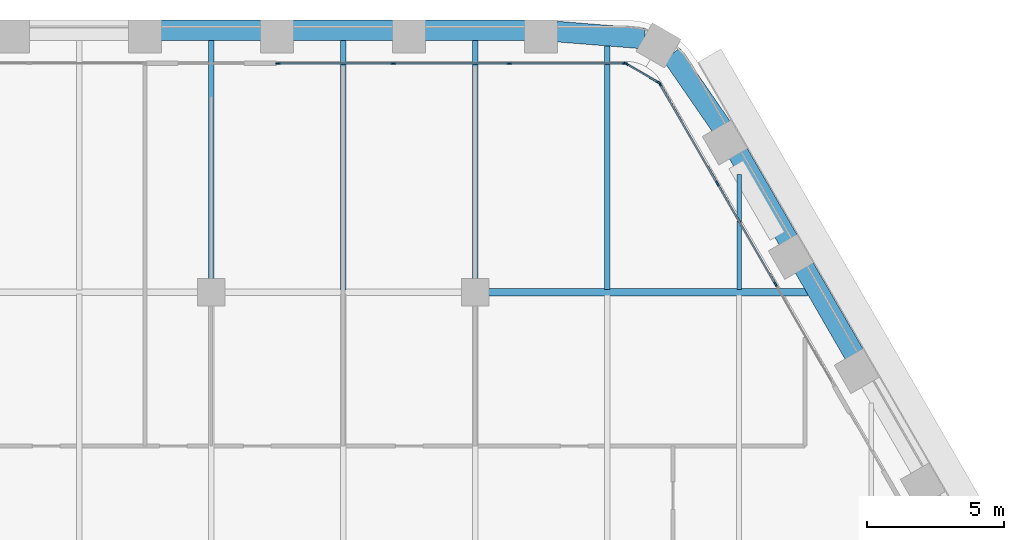
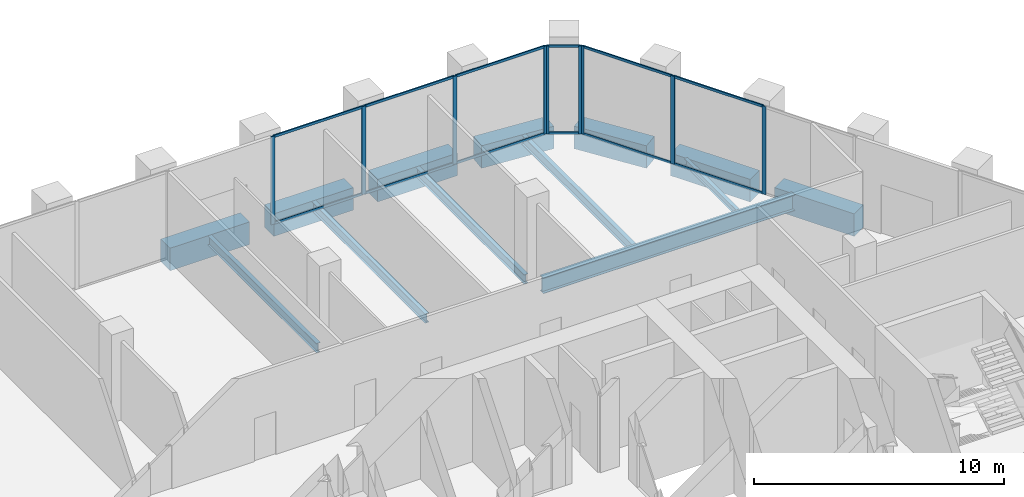
# One storey, part 9 of 23: 21 members, 13 beams, 3 elements without a shape of their own.
"""IFC4 building model written with IfcOpenShell, lengths in metres."""

from ifc_helpers import new_model, si_unit, direction, frame, origin, origin_2d, place, context, subcontext, project, spatial, rectangle, i_section, extrude, material, material_profile, profile_set, type_object, element, aggregate, save


model = new_model("IFC4")

# Units and contexts
model_context = context("Model", 3, precision=1e-05, world=origin(), true_north=direction((0.0, 1.0)))
body_context = subcontext(model_context, "Body", "Model", "MODEL_VIEW")
ifc_project = project(units=[si_unit("LENGTHUNIT", "METRE"), si_unit("AREAUNIT", "SQUARE_METRE"), si_unit("VOLUMEUNIT", "CUBIC_METRE"), si_unit("PLANEANGLEUNIT", "RADIAN"), si_unit("MASSUNIT", "GRAM", prefix="KILO")], contexts=[model_context])

# Site, building, storey
site_placement = place(None, origin())
site = spatial("IfcSite", under=ifc_project, at=site_placement, CompositionType="ELEMENT")
building_placement = place(site_placement, origin())
building = spatial("IfcBuilding", under=site, at=building_placement, Name="Kolab Exchange Tower", CompositionType="ELEMENT")
storey_placement = place(building_placement, frame((0.0, 0.0, 95.89990234375)))
storey = spatial("IfcBuildingStorey", under=building, at=storey_placement, Name="L18", CompositionType="ELEMENT", Elevation=95.89990234375)

# Beams
ifc_material_1 = material(Name="Steel S355", Category="steel")
ifc_material_profile_1 = material_profile(ifc_material_1, i_section(OverallWidth=0.1650390625, OverallDepth=0.31005859375, WebThickness=0.005859375, FlangeThickness=0.009765625, at=origin_2d()), Name="W310X39")
ifc_profile_set_1 = profile_set([ifc_material_profile_1], Name="Steel S355")
beam_type_1 = type_object("IfcBeamType", Name="FLOOR BEAM W310X39", PredefinedType="BEAM", material=ifc_profile_set_1)
beam_1_placement = place(storey_placement, frame((19.199951171875, 19.29345703125, -0.35498046875), z_axis=(0.0, 1.0, 0.0), x_axis=(-1.0, 0.0, 0.0)))
element("IfcBeam", 1, at=beam_1_placement, inside=storey, type_object=beam_type_1, Name="beam/L18/fr/045", PredefinedType="BEAM", context=body_context, shape_type="SweptSolid", body=[
    extrude(i_section(OverallWidth=0.1650390625, OverallDepth=0.31005859375, WebThickness=0.005859375, FlangeThickness=0.009765625, at=origin_2d()), origin(), (0.0, 0.0, 1.0), 4.18798828125),
])
ifc_material_profile_2 = material_profile(ifc_material_1, i_section(OverallWidth=0.18994140625, OverallDepth=0.45703125, WebThickness=0.009033203125, FlangeThickness=0.014404296875, at=origin_2d()), Name="W460X74")
ifc_profile_set_2 = profile_set([ifc_material_profile_2], Name="Steel S355")
beam_type_2 = type_object("IfcBeamType", Name="FLOOR BEAM W460X74", PredefinedType="BEAM", material=ifc_profile_set_2)
beam_2_placement = place(storey_placement, frame((0.0, 19.659912109375, -0.428466796875), z_axis=(0.0, 1.0, 0.0), x_axis=(-1.0, 0.0, 0.0)))
element("IfcBeam", 2, at=beam_2_placement, inside=storey, type_object=beam_type_2, Name="beam/L18/fr/027", PredefinedType="BEAM", context=body_context, shape_type="SweptSolid", body=[
    extrude(i_section(OverallWidth=0.18994140625, OverallDepth=0.45703125, WebThickness=0.009033203125, FlangeThickness=0.014404296875, at=origin_2d()), origin(), (0.0, 0.0, 1.0), 8.728515625),
])
beam_3_placement = place(storey_placement, frame((4.800048828125, 19.27392578125, -0.428466796875), z_axis=(0.0, 1.0, 0.0), x_axis=(-1.0, 0.0, 0.0)))
element("IfcBeam", 3, at=beam_3_placement, inside=storey, type_object=beam_type_2, Name="beam/L18/fr/031", PredefinedType="BEAM", context=body_context, shape_type="SweptSolid", body=[
    extrude(i_section(OverallWidth=0.18994140625, OverallDepth=0.45703125, WebThickness=0.009033203125, FlangeThickness=0.014404296875, at=origin_2d()), origin(), (0.0, 0.0, 1.0), 9.114501953125),
])
beam_4_placement = place(storey_placement, frame((9.60009765625, 19.659912109375, -0.428466796875), z_axis=(0.0, 1.0, 0.0), x_axis=(-1.0, 0.0, 0.0)))
element("IfcBeam", 4, at=beam_4_placement, inside=storey, type_object=beam_type_2, Name="beam/L18/fr/035", PredefinedType="BEAM", context=body_context, shape_type="SweptSolid", body=[
    extrude(i_section(OverallWidth=0.18994140625, OverallDepth=0.45703125, WebThickness=0.009033203125, FlangeThickness=0.014404296875, at=origin_2d()), origin(), (0.0, 0.0, 1.0), 8.728515625),
])
beam_5_placement = place(storey_placement, frame((14.39990234375, 19.29345703125, -0.428466796875), z_axis=(0.0, 1.0, 0.0), x_axis=(-1.0, 0.0, 0.0)))
element("IfcBeam", 5, at=beam_5_placement, inside=storey, type_object=beam_type_2, Name="beam/L18/fr/039", PredefinedType="BEAM", context=body_context, shape_type="SweptSolid", body=[
    extrude(i_section(OverallWidth=0.18994140625, OverallDepth=0.45703125, WebThickness=0.009033203125, FlangeThickness=0.014404296875, at=origin_2d()), origin(), (0.0, 0.0, 1.0), 8.901123046875),
])
ifc_material_profile_3 = material_profile(ifc_material_1, i_section(OverallWidth=0.26708984375, OverallDepth=0.761962890625, WebThickness=0.014404296875, FlangeThickness=0.021484375, at=origin_2d()), Name="W760X173")
ifc_profile_set_3 = profile_set([ifc_material_profile_3], Name="Steel S355")
beam_type_3 = type_object("IfcBeamType", Name="FLOOR GIRDER W760X173", PredefinedType="BEAM", material=ifc_profile_set_3)
beam_6_placement = place(storey_placement, frame((10.06005859375, 19.199951171875, -0.580810546875), z_axis=(1.0, 0.0, 0.0), x_axis=(0.0, 1.0, 0.0)))
element("IfcBeam", 6, at=beam_6_placement, inside=storey, type_object=beam_type_3, Name="beam/L18/gd/013", PredefinedType="BEAM", context=body_context, shape_type="SweptSolid", body=[
    extrude(i_section(OverallWidth=0.26708984375, OverallDepth=0.761962890625, WebThickness=0.014404296875, FlangeThickness=0.021484375, at=origin_2d()), origin(), (0.0, 0.0, 1.0), 11.628662109375),
])
ifc_material_2 = material(Name="Concrete C70/85", Category="concrete")
ifc_material_profile_4 = material_profile(ifc_material_2, rectangle(XDim=0.75, YDim=1.10009765625, at=origin_2d()), Name="RC750X1100")
ifc_profile_set_4 = profile_set([ifc_material_profile_4], Name="Concrete C70/85")
beam_type_4 = type_object("IfcBeamType", Name="SPANDREL BEAM 750X1100 C70/85", PredefinedType="BEAM", material=ifc_profile_set_4)
beam_7_placement = place(storey_placement, frame((-1.840087890625, 28.723388671875, -0.75), z_axis=(1.0, 0.0, 0.0), x_axis=(0.0, 1.0, 0.0)))
element("IfcBeam", 7, at=beam_7_placement, inside=storey, type_object=beam_type_4, Name="beam/L18/sp/F1-04", PredefinedType="BEAM", context=body_context, shape_type="SweptSolid", body=[
    extrude(rectangle(XDim=0.75, YDim=1.10009765625, at=origin_2d()), origin(), (0.0, 0.0, 1.0), 3.68017578125),
])
for number, where, z_axis, x_axis, name in (
    (8, (2.9599609375, 28.723388671875, -0.75), (1.0, 0.0, 0.0), (0.0, 1.0, 0.0), "beam/L18/sp/F1-05"),
    (9, (7.760009765625, 28.723388671875, -0.75), (1.0, 0.0, 0.0), (0.0, 1.0, 0.0), "beam/L18/sp/F1-06"),
):
    element("IfcBeam", number, at=place(storey_placement, frame(where, z_axis=z_axis, x_axis=x_axis)), inside=storey, type_object=beam_type_4, Name=name, PredefinedType="BEAM", context=body_context, shape_type="SweptSolid", body=[
        extrude(rectangle(XDim=0.75, YDim=1.10009765625, at=origin_2d()), origin(), (0.0, 0.0, 1.0), 3.679931640625),
    ])
for number, where, z_axis, x_axis, name in (
    (10, (12.56005859375, 28.678466796875, -0.75), (0.996791038408, -0.080047646748, 0.0), (0.080047646748, 0.996791038408, 0.0), "beam/L18/sp/F1-07"),
    (11, (16.73486328125, 27.85791015625, -0.75), (0.567661826262, -0.823261836237, 0.0), (0.823261836237, 0.567661826262, 0.0), "beam/L18/sp/F2-01"),
):
    element("IfcBeam", number, at=place(storey_placement, frame(where, z_axis=z_axis, x_axis=x_axis)), inside=storey, type_object=beam_type_4, Name=name, PredefinedType="BEAM", context=body_context, shape_type="SweptSolid", body=[
        extrude(rectangle(XDim=0.75, YDim=1.10009765625, at=origin_2d()), origin(), (0.0, 0.0, 1.0), 3.20849609375),
    ])
for number, where, z_axis, x_axis, name in (
    (12, (19.1552734375, 24.26904296875, -0.75), (0.500013413428, -0.866017659399, 0.0), (0.866017659399, 0.500013413428, 0.0), "beam/L18/sp/F2-02"),
    (13, (21.55517578125, 20.112060546875, -0.75), (0.500013413428, -0.866017659399, 0.0), (0.866017659399, 0.500013413428, 0.0), "beam/L18/sp/F2-03"),
):
    element("IfcBeam", number, at=place(storey_placement, frame(where, z_axis=z_axis, x_axis=x_axis)), inside=storey, type_object=beam_type_4, Name=name, PredefinedType="BEAM", context=body_context, shape_type="SweptSolid", body=[
        extrude(rectangle(XDim=0.75, YDim=1.10009765625, at=origin_2d()), origin(), (0.0, 0.0, 1.0), 3.68017578125),
    ])

# Curtain wall, members
ifc_material_3 = material(Name="Aluminium EN AW-6063 T6", Category="aluminium")
curtain_wall_type = type_object("IfcCurtainWallType", Name="UNITISED LOWER MID ZONE CURTAIN WALL", PredefinedType="NOTDEFINED", material=ifc_material_3)
curtain_wall_1_placement = place(storey_placement, origin())
curtain_wall_1 = element("IfcCurtainWall", 14, at=curtain_wall_1_placement, inside=storey, type_object=curtain_wall_type, Name="cw/L18/F1-2", PredefinedType="NOTDEFINED")
ifc_material_profile_5 = material_profile(ifc_material_3, rectangle(XDim=0.06005859375, YDim=0.179931640625, at=origin_2d()), Name="RECT 60X180")
ifc_profile_set_5 = profile_set([ifc_material_profile_5], Name="Aluminium EN AW-6063 T6")
member_type_1 = type_object("IfcMemberType", Name="UNITISED LOWER MID ZONE MULLION 60 X 180", PredefinedType="MULLION", material=ifc_profile_set_5)
member_1_placement = place(storey_placement, frame((2.429931640625, 27.5185546875, 0.0), z_axis=(0.0, 0.0, 1.0), x_axis=(0.0, 1.0, 0.0)))
member_1 = element("IfcMember", 15, at=member_1_placement, type_object=member_type_1, Name="CW2 mullion 1", PredefinedType="MULLION", context=body_context, shape_type="SweptSolid", body=[
    extrude(rectangle(XDim=0.06005859375, YDim=0.179931640625, at=origin_2d()), origin(), (0.0, 0.0, 1.0), 4.300048828125),
])
member_2_placement = place(storey_placement, frame((6.62255859375, 27.5185546875, 0.0), z_axis=(0.0, 0.0, 1.0), x_axis=(0.0, 1.0, 0.0)))
member_2 = element("IfcMember", 16, at=member_2_placement, type_object=member_type_1, Name="CW2 mullion 2", PredefinedType="MULLION", context=body_context, shape_type="SweptSolid", body=[
    extrude(rectangle(XDim=0.06005859375, YDim=0.179931640625, at=origin_2d()), origin(), (0.0, 0.0, 1.0), 4.300048828125),
])
member_3_placement = place(storey_placement, frame((10.84521484375, 27.5185546875, 0.0), z_axis=(0.0, 0.0, 1.0), x_axis=(0.0, 1.0, 0.0)))
member_3 = element("IfcMember", 17, at=member_3_placement, type_object=member_type_1, Name="CW2 mullion 3", PredefinedType="MULLION", context=body_context, shape_type="SweptSolid", body=[
    extrude(rectangle(XDim=0.06005859375, YDim=0.179931640625, at=origin_2d()), origin(), (0.0, 0.0, 1.0), 4.300048828125),
])
member_4_placement = place(storey_placement, frame((15.037841796875, 27.5185546875, 0.0), z_axis=(0.0, 0.0, 1.0), x_axis=(0.0, 1.0, 0.0)))
member_4 = element("IfcMember", 18, at=member_4_placement, type_object=member_type_1, Name="CW2 mullion 4", PredefinedType="MULLION", context=body_context, shape_type="SweptSolid", body=[
    extrude(rectangle(XDim=0.06005859375, YDim=0.179931640625, at=origin_2d()), origin(), (0.0, 0.0, 1.0), 4.300048828125),
])

curtain_wall_2_placement = place(storey_placement, origin())
curtain_wall_2 = element("IfcCurtainWall", 19, at=curtain_wall_2_placement, inside=storey, type_object=curtain_wall_type, Name="cw/L18/F2-1", PredefinedType="NOTDEFINED")
member_5_placement = place(storey_placement, frame((16.312744140625, 26.782470703125, 0.0), z_axis=(0.0, 0.0, 1.0), x_axis=(0.866025393644, 0.500000017564, 0.0)))
member_5 = element("IfcMember", 20, at=member_5_placement, type_object=member_type_1, Name="CW2 mullion 1", PredefinedType="MULLION", context=body_context, shape_type="SweptSolid", body=[
    extrude(rectangle(XDim=0.06005859375, YDim=0.179931640625, at=origin_2d()), origin(), (0.0, 0.0, 1.0), 4.300048828125),
])
member_6_placement = place(storey_placement, frame((18.408935546875, 23.151611328125, 0.0), z_axis=(0.0, 0.0, 1.0), x_axis=(0.866025393644, 0.500000017564, 0.0)))
member_6 = element("IfcMember", 21, at=member_6_placement, type_object=member_type_1, Name="CW2 mullion 2", PredefinedType="MULLION", context=body_context, shape_type="SweptSolid", body=[
    extrude(rectangle(XDim=0.06005859375, YDim=0.179931640625, at=origin_2d()), origin(), (0.0, 0.0, 1.0), 4.300048828125),
])
member_7_placement = place(storey_placement, frame((20.520263671875, 19.49462890625, 0.0), z_axis=(0.0, 0.0, 1.0), x_axis=(0.866025393644, 0.500000017564, 0.0)))
member_7 = element("IfcMember", 22, at=member_7_placement, type_object=member_type_1, Name="CW2 mullion 3", PredefinedType="MULLION", context=body_context, shape_type="SweptSolid", body=[
    extrude(rectangle(XDim=0.06005859375, YDim=0.179931640625, at=origin_2d()), origin(), (0.0, 0.0, 1.0), 4.300048828125),
])

curtain_wall_3_placement = place(storey_placement, origin())
curtain_wall_3 = element("IfcCurtainWall", 23, at=curtain_wall_3_placement, inside=storey, type_object=curtain_wall_type, Name="cw/L18/F1F2-corner", PredefinedType="NOTDEFINED")
member_8_placement = place(storey_placement, frame((15.093994140625, 27.50341796875, 0.0), z_axis=(0.0, 0.0, 1.0), x_axis=(0.50000002237, 0.866025390869, 0.0)))
member_8 = element("IfcMember", 24, at=member_8_placement, type_object=member_type_1, Name="CW2 mullion 1", PredefinedType="MULLION", context=body_context, shape_type="SweptSolid", body=[
    extrude(rectangle(XDim=0.06005859375, YDim=0.179931640625, at=origin_2d()), origin(), (0.0, 0.0, 1.0), 4.300048828125),
])
member_9_placement = place(storey_placement, frame((16.271728515625, 26.823486328125, 0.0), z_axis=(0.0, 0.0, 1.0), x_axis=(0.50000002237, 0.866025390869, 0.0)))
member_9 = element("IfcMember", 25, at=member_9_placement, type_object=member_type_1, Name="CW2 mullion 2", PredefinedType="MULLION", context=body_context, shape_type="SweptSolid", body=[
    extrude(rectangle(XDim=0.06005859375, YDim=0.179931640625, at=origin_2d()), origin(), (0.0, 0.0, 1.0), 4.300048828125),
])

# Member
ifc_material_profile_6 = material_profile(ifc_material_3, rectangle(XDim=0.06005859375, YDim=0.1201171875, at=origin_2d()), Name="RECT 60X120")
ifc_profile_set_6 = profile_set([ifc_material_profile_6], Name="Aluminium EN AW-6063 T6")
member_type_2 = type_object("IfcMemberType", Name="UNITISED LOWER MID ZONE TRANSOM 60 X 120", PredefinedType="USERDEFINED", material=ifc_profile_set_6)
member_10_placement = place(storey_placement, frame((2.4599609375, 27.5185546875, 0.030029296875), z_axis=(1.0, 0.0, 0.0), x_axis=(0.0, 1.0, 0.0)))
member_10 = element("IfcMember", 26, at=member_10_placement, type_object=member_type_2, Name="CW2 transom 1.1", ObjectType="TRANSOM", PredefinedType="USERDEFINED", context=body_context, shape_type="SweptSolid", body=[
    extrude(rectangle(XDim=0.06005859375, YDim=0.1201171875, at=origin_2d()), origin(), (0.0, 0.0, 1.0), 4.132568359375),
])

member_11_placement = place(storey_placement, frame((2.4599609375, 27.5185546875, 4.27001953125), z_axis=(1.0, 0.0, 0.0), x_axis=(0.0, 1.0, 0.0)))
member_11 = element("IfcMember", 27, at=member_11_placement, type_object=member_type_2, Name="CW2 transom 1.2", ObjectType="TRANSOM", PredefinedType="USERDEFINED", context=body_context, shape_type="SweptSolid", body=[
    extrude(rectangle(XDim=0.06005859375, YDim=0.1201171875, at=origin_2d()), origin(), (0.0, 0.0, 1.0), 4.132568359375),
])

member_12_placement = place(storey_placement, frame((6.652587890625, 27.5185546875, 0.030029296875), z_axis=(1.0, 0.0, 0.0), x_axis=(0.0, 1.0, 0.0)))
member_12 = element("IfcMember", 28, at=member_12_placement, type_object=member_type_2, Name="CW2 transom 2.1", ObjectType="TRANSOM", PredefinedType="USERDEFINED", context=body_context, shape_type="SweptSolid", body=[
    extrude(rectangle(XDim=0.06005859375, YDim=0.1201171875, at=origin_2d()), origin(), (0.0, 0.0, 1.0), 4.16259765625),
])

member_13_placement = place(storey_placement, frame((6.652587890625, 27.5185546875, 4.27001953125), z_axis=(1.0, 0.0, 0.0), x_axis=(0.0, 1.0, 0.0)))
member_13 = element("IfcMember", 29, at=member_13_placement, type_object=member_type_2, Name="CW2 transom 2.2", ObjectType="TRANSOM", PredefinedType="USERDEFINED", context=body_context, shape_type="SweptSolid", body=[
    extrude(rectangle(XDim=0.06005859375, YDim=0.1201171875, at=origin_2d()), origin(), (0.0, 0.0, 1.0), 4.16259765625),
])

member_14_placement = place(storey_placement, frame((10.875244140625, 27.5185546875, 0.030029296875), z_axis=(1.0, 0.0, 0.0), x_axis=(0.0, 1.0, 0.0)))
member_14 = element("IfcMember", 30, at=member_14_placement, type_object=member_type_2, Name="CW2 transom 3.1", ObjectType="TRANSOM", PredefinedType="USERDEFINED", context=body_context, shape_type="SweptSolid", body=[
    extrude(rectangle(XDim=0.06005859375, YDim=0.1201171875, at=origin_2d()), origin(), (0.0, 0.0, 1.0), 4.1328125),
])

member_15_placement = place(storey_placement, frame((10.875244140625, 27.5185546875, 4.27001953125), z_axis=(1.0, 0.0, 0.0), x_axis=(0.0, 1.0, 0.0)))
member_15 = element("IfcMember", 31, at=member_15_placement, type_object=member_type_2, Name="CW2 transom 3.2", ObjectType="TRANSOM", PredefinedType="USERDEFINED", context=body_context, shape_type="SweptSolid", body=[
    extrude(rectangle(XDim=0.06005859375, YDim=0.1201171875, at=origin_2d()), origin(), (0.0, 0.0, 1.0), 4.1328125),
])

aggregate(curtain_wall_1, [member_1, member_2, member_3, member_4, member_10, member_11, member_12, member_13, member_14, member_15])

member_16_placement = place(storey_placement, frame((16.32763671875, 26.756591796875, 0.030029296875), z_axis=(0.500001996123, -0.866024251319, 0.0), x_axis=(0.866024251319, 0.500001996123, 0.0)))
member_16 = element("IfcMember", 32, at=member_16_placement, type_object=member_type_2, Name="CW2 transom 1.1", ObjectType="TRANSOM", PredefinedType="USERDEFINED", context=body_context, shape_type="SweptSolid", body=[
    extrude(rectangle(XDim=0.06005859375, YDim=0.1201171875, at=origin_2d()), origin(), (0.0, 0.0, 1.0), 4.1328125),
])

member_17_placement = place(storey_placement, frame((16.32763671875, 26.756591796875, 4.27001953125), z_axis=(0.500001996123, -0.866024251319, 0.0), x_axis=(0.866024251319, 0.500001996123, 0.0)))
member_17 = element("IfcMember", 33, at=member_17_placement, type_object=member_type_2, Name="CW2 transom 1.2", ObjectType="TRANSOM", PredefinedType="USERDEFINED", context=body_context, shape_type="SweptSolid", body=[
    extrude(rectangle(XDim=0.06005859375, YDim=0.1201171875, at=origin_2d()), origin(), (0.0, 0.0, 1.0), 4.1328125),
])

member_18_placement = place(storey_placement, frame((18.424072265625, 23.12548828125, 0.030029296875), z_axis=(0.49999322259, -0.866029316688, 0.0), x_axis=(0.866029316688, 0.49999322259, 0.0)))
member_18 = element("IfcMember", 34, at=member_18_placement, type_object=member_type_2, Name="CW2 transom 2.1", ObjectType="TRANSOM", PredefinedType="USERDEFINED", context=body_context, shape_type="SweptSolid", body=[
    extrude(rectangle(XDim=0.06005859375, YDim=0.1201171875, at=origin_2d()), origin(), (0.0, 0.0, 1.0), 4.16259765625),
])

member_19_placement = place(storey_placement, frame((18.424072265625, 23.12548828125, 4.27001953125), z_axis=(0.49999322259, -0.866029316688, 0.0), x_axis=(0.866029316688, 0.49999322259, 0.0)))
member_19 = element("IfcMember", 35, at=member_19_placement, type_object=member_type_2, Name="CW2 transom 2.2", ObjectType="TRANSOM", PredefinedType="USERDEFINED", context=body_context, shape_type="SweptSolid", body=[
    extrude(rectangle(XDim=0.06005859375, YDim=0.1201171875, at=origin_2d()), origin(), (0.0, 0.0, 1.0), 4.16259765625),
])

aggregate(curtain_wall_2, [member_5, member_6, member_7, member_16, member_17, member_18, member_19])

member_20_placement = place(storey_placement, frame((15.119873046875, 27.488525390625, 0.030029296875), z_axis=(0.866004217611, -0.500036693733, 0.0), x_axis=(0.500036693733, 0.866004217611, 0.0)))
member_20 = element("IfcMember", 36, at=member_20_placement, type_object=member_type_2, Name="CW2 transom 1.1", ObjectType="TRANSOM", PredefinedType="USERDEFINED", context=body_context, shape_type="SweptSolid", body=[
    extrude(rectangle(XDim=0.06005859375, YDim=0.1201171875, at=origin_2d()), origin(), (0.0, 0.0, 1.0), 1.30029296875),
])

member_21_placement = place(storey_placement, frame((15.119873046875, 27.488525390625, 4.27001953125), z_axis=(0.866004217611, -0.500036693733, 0.0), x_axis=(0.500036693733, 0.866004217611, 0.0)))
member_21 = element("IfcMember", 37, at=member_21_placement, type_object=member_type_2, Name="CW2 transom 1.2", ObjectType="TRANSOM", PredefinedType="USERDEFINED", context=body_context, shape_type="SweptSolid", body=[
    extrude(rectangle(XDim=0.06005859375, YDim=0.1201171875, at=origin_2d()), origin(), (0.0, 0.0, 1.0), 1.30029296875),
])

aggregate(curtain_wall_3, [member_8, member_9, member_20, member_21])

save(model, "model.ifc")
